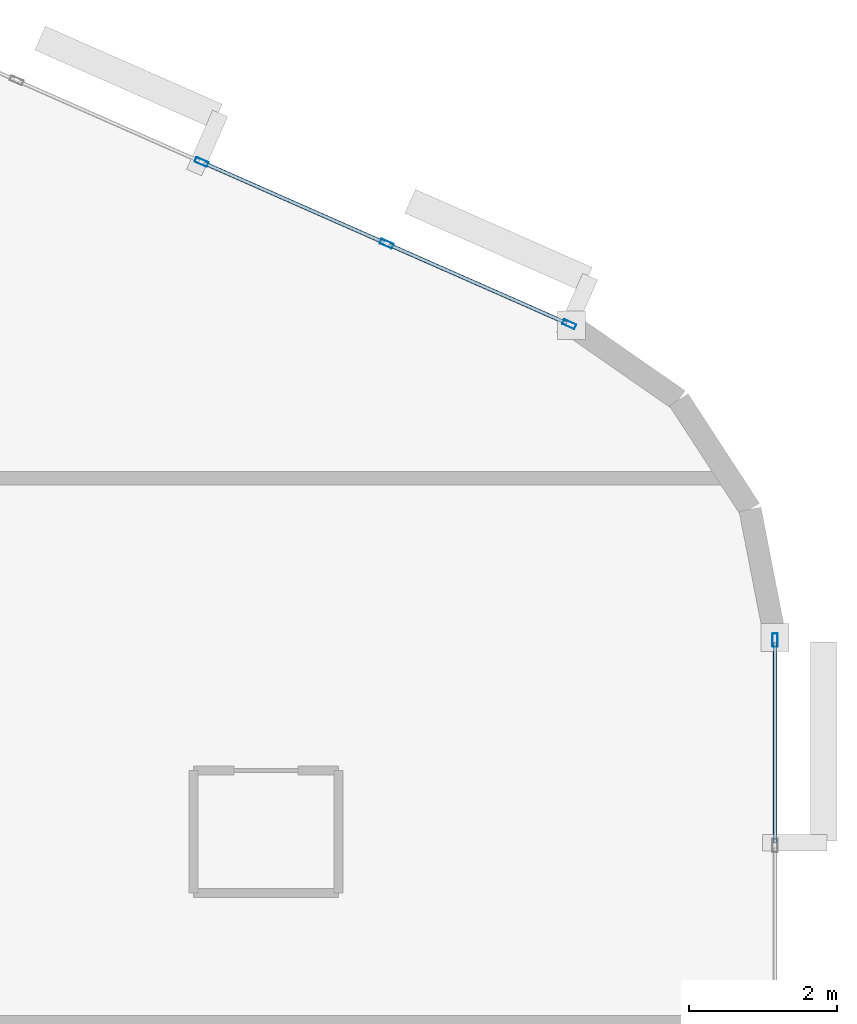
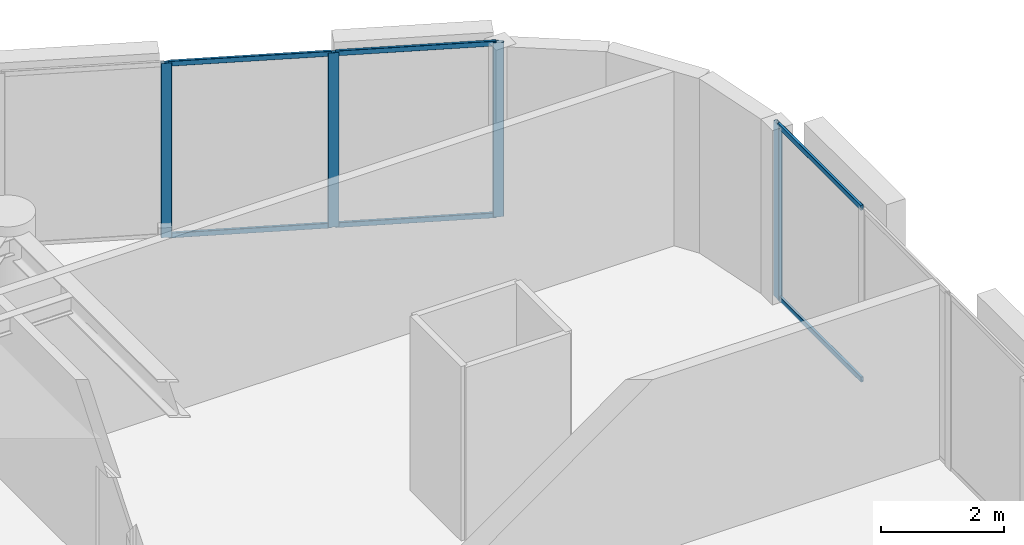
# One storey, part 6 of 12: 10 members, 2 elements without a shape of their own.
"""IFC4 building model written with IfcOpenShell, lengths in metres."""

from ifc_helpers import new_model, si_unit, direction, frame, origin, origin_2d, place, context, subcontext, project, spatial, hollow_rectangle, extrude, material, layer, layer_set, material_profile, profile_set, type_object, element, aggregate, save


model = new_model("IFC4")

# Units and contexts
model_context = context("Model", 3, precision=1e-05, world=origin(), true_north=direction((0.0, 1.0)))
body_context = subcontext(model_context, "Body", "Model", "MODEL_VIEW")
ifc_project = project(units=[si_unit("LENGTHUNIT", "METRE"), si_unit("AREAUNIT", "SQUARE_METRE"), si_unit("VOLUMEUNIT", "CUBIC_METRE"), si_unit("PLANEANGLEUNIT", "RADIAN"), si_unit("MASSUNIT", "GRAM", prefix="KILO")], contexts=[model_context])

# Site, building, storey
site_placement = place(None, origin())
site = spatial("IfcSite", under=ifc_project, at=site_placement, CompositionType="ELEMENT")
building_placement = place(site_placement, origin())
building = spatial("IfcBuilding", under=site, at=building_placement, Name="An Khanh Terracotta Commons", CompositionType="ELEMENT")
storey_placement = place(building_placement, frame((0.0, 0.0, 258.800048828125)))
storey = spatial("IfcBuildingStorey", under=building, at=storey_placement, Name="L67", CompositionType="ELEMENT", Elevation=258.800048828125)

# Curtain wall, member
ifc_material = material(Name="Anodised Aluminium 6063-T6", Category="aluminium")
ifc_layer = layer(ifc_material, 0.2099609375, Name="Anodised Aluminium 6063-T6")
ifc_layer_set = layer_set([ifc_layer], Name="Anodised Aluminium 6063-T6")
curtain_wall_type = type_object("IfcCurtainWallType", Name="CW-SYS-03", PredefinedType="USERDEFINED", material=ifc_layer_set)
curtain_wall_1_placement = place(storey_placement, origin())
curtain_wall_1 = element("IfcCurtainWall", 1, at=curtain_wall_1_placement, inside=storey, type_object=curtain_wall_type, Name="L67 CW-03 Unitised Curtain Wall CW-L67-12", ObjectType="UNITISED CURTAIN WALL", PredefinedType="USERDEFINED")
ifc_material_profile_1 = material_profile(ifc_material, hollow_rectangle(XDim=0.070068359375, YDim=0.179931640625, WallThickness=0.00390625, InnerFilletRadius=0.00390625, OuterFilletRadius=0.008056640625, at=origin_2d()), Name="RHS180x70x4")
ifc_profile_set_1 = profile_set([ifc_material_profile_1], Name="Anodised Aluminium 6063-T6")
member_type_1 = type_object("IfcMemberType", Name="CWM-RHS180x70x4", PredefinedType="MULLION", material=ifc_profile_set_1)
member_1_placement = place(storey_placement, frame((75.60009765625, 28.1669921875, 0.0), z_axis=(0.0, 0.0, 1.0), x_axis=(-1.0, 0.0, 0.0)))
member_1 = element("IfcMember", 2, at=member_1_placement, type_object=member_type_1, Name="CW-03 mullion 4", PredefinedType="MULLION", context=body_context, shape_type="SweptSolid", body=[
    extrude(hollow_rectangle(XDim=0.070068359375, YDim=0.179931640625, WallThickness=0.00390625, InnerFilletRadius=0.00390625, OuterFilletRadius=0.008056640625, at=origin_2d()), origin(), (0.0, 0.0, 1.0), 3.449951171875),
])

# Curtain wall, members
curtain_wall_2_placement = place(storey_placement, origin())
curtain_wall_2 = element("IfcCurtainWall", 3, at=curtain_wall_2_placement, inside=storey, type_object=curtain_wall_type, Name="L67 CW-03 Unitised Curtain Wall CW-L67-16", ObjectType="UNITISED CURTAIN WALL", PredefinedType="USERDEFINED")
member_2_placement = place(storey_placement, frame((72.824951171875, 32.424072265625, 0.0), z_axis=(0.0, 0.0, 1.0), x_axis=(-0.403676354285, -0.914901853201, 0.0)))
member_2 = element("IfcMember", 4, at=member_2_placement, type_object=member_type_1, Name="CW-03 mullion 1", PredefinedType="MULLION", context=body_context, shape_type="SweptSolid", body=[
    extrude(hollow_rectangle(XDim=0.070068359375, YDim=0.179931640625, WallThickness=0.00390625, InnerFilletRadius=0.00390625, OuterFilletRadius=0.008056640625, at=origin_2d()), origin(), (0.0, 0.0, 1.0), 3.449951171875),
])
member_3_placement = place(storey_placement, frame((70.364501953125, 33.509765625, 0.0), z_axis=(0.0, 0.0, 1.0), x_axis=(-0.403676354285, -0.914901853201, 0.0)))
member_3 = element("IfcMember", 5, at=member_3_placement, type_object=member_type_1, Name="CW-03 mullion 2", PredefinedType="MULLION", context=body_context, shape_type="SweptSolid", body=[
    extrude(hollow_rectangle(XDim=0.070068359375, YDim=0.179931640625, WallThickness=0.00390625, InnerFilletRadius=0.00390625, OuterFilletRadius=0.008056640625, at=origin_2d()), origin(), (0.0, 0.0, 1.0), 3.449951171875),
])
member_4_placement = place(storey_placement, frame((67.8720703125, 34.609619140625, 0.0), z_axis=(0.0, 0.0, 1.0), x_axis=(-0.403676354285, -0.914901853201, 0.0)))
member_4 = element("IfcMember", 6, at=member_4_placement, type_object=member_type_1, Name="CW-03 mullion 3", PredefinedType="MULLION", context=body_context, shape_type="SweptSolid", body=[
    extrude(hollow_rectangle(XDim=0.070068359375, YDim=0.179931640625, WallThickness=0.00390625, InnerFilletRadius=0.00390625, OuterFilletRadius=0.008056640625, at=origin_2d()), origin(), (0.0, 0.0, 1.0), 3.449951171875),
])

# Member
ifc_material_profile_2 = material_profile(ifc_material, hollow_rectangle(XDim=0.050048828125, YDim=0.10009765625, WallThickness=0.003173828125, InnerFilletRadius=0.003173828125, OuterFilletRadius=0.00634765625, at=origin_2d()), Name="RHS100x50x3.2")
ifc_profile_set_2 = profile_set([ifc_material_profile_2], Name="Anodised Aluminium 6063-T6")
member_type_2 = type_object("IfcMemberType", Name="CWT-RHS100x50x3.2", PredefinedType="USERDEFINED", material=ifc_profile_set_2)
member_5_placement = place(storey_placement, frame((75.60009765625, 25.435546875, 0.02490234375), z_axis=(0.0, 1.0, 0.0), x_axis=(-1.0, 0.0, 0.0)))
member_5 = element("IfcMember", 7, at=member_5_placement, type_object=member_type_2, Name="CW-03 transom 3.1", ObjectType="TRANSOM", PredefinedType="USERDEFINED", context=body_context, shape_type="SweptSolid", body=[
    extrude(hollow_rectangle(XDim=0.050048828125, YDim=0.10009765625, WallThickness=0.003173828125, InnerFilletRadius=0.003173828125, OuterFilletRadius=0.00634765625, at=origin_2d()), origin(), (0.0, 0.0, 1.0), 2.696533203125),
])

member_6_placement = place(storey_placement, frame((75.60009765625, 25.435546875, 3.425048828125), z_axis=(0.0, 1.0, 0.0), x_axis=(-1.0, 0.0, 0.0)))
member_6 = element("IfcMember", 8, at=member_6_placement, type_object=member_type_2, Name="CW-03 transom 3.2", ObjectType="TRANSOM", PredefinedType="USERDEFINED", context=body_context, shape_type="SweptSolid", body=[
    extrude(hollow_rectangle(XDim=0.050048828125, YDim=0.10009765625, WallThickness=0.003173828125, InnerFilletRadius=0.003173828125, OuterFilletRadius=0.00634765625, at=origin_2d()), origin(), (0.0, 0.0, 1.0), 2.696533203125),
])

aggregate(curtain_wall_1, [member_1, member_5, member_6])

member_7_placement = place(storey_placement, frame((72.79296875, 32.438232421875, 0.02490234375), z_axis=(-0.914903627858, 0.403672332137, 0.0), x_axis=(-0.403672332137, -0.914903627858, 0.0)))
member_7 = element("IfcMember", 9, at=member_7_placement, type_object=member_type_2, Name="CW-03 transom 1.1", ObjectType="TRANSOM", PredefinedType="USERDEFINED", context=body_context, shape_type="SweptSolid", body=[
    extrude(hollow_rectangle(XDim=0.050048828125, YDim=0.10009765625, WallThickness=0.003173828125, InnerFilletRadius=0.003173828125, OuterFilletRadius=0.00634765625, at=origin_2d()), origin(), (0.0, 0.0, 1.0), 2.619384765625),
])

member_8_placement = place(storey_placement, frame((72.79296875, 32.438232421875, 3.425048828125), z_axis=(-0.914903627858, 0.403672332137, 0.0), x_axis=(-0.403672332137, -0.914903627858, 0.0)))
member_8 = element("IfcMember", 10, at=member_8_placement, type_object=member_type_2, Name="CW-03 transom 1.2", ObjectType="TRANSOM", PredefinedType="USERDEFINED", context=body_context, shape_type="SweptSolid", body=[
    extrude(hollow_rectangle(XDim=0.050048828125, YDim=0.10009765625, WallThickness=0.003173828125, InnerFilletRadius=0.003173828125, OuterFilletRadius=0.00634765625, at=origin_2d()), origin(), (0.0, 0.0, 1.0), 2.619384765625),
])

member_9_placement = place(storey_placement, frame((70.33251953125, 33.52392578125, 0.02490234375), z_axis=(-0.914896820753, 0.403687759755, 0.0), x_axis=(-0.403687759755, -0.914896820753, 0.0)))
member_9 = element("IfcMember", 11, at=member_9_placement, type_object=member_type_2, Name="CW-03 transom 2.1", ObjectType="TRANSOM", PredefinedType="USERDEFINED", context=body_context, shape_type="SweptSolid", body=[
    extrude(hollow_rectangle(XDim=0.050048828125, YDim=0.10009765625, WallThickness=0.003173828125, InnerFilletRadius=0.003173828125, OuterFilletRadius=0.00634765625, at=origin_2d()), origin(), (0.0, 0.0, 1.0), 2.654296875),
])

member_10_placement = place(storey_placement, frame((70.33251953125, 33.52392578125, 3.425048828125), z_axis=(-0.914896820753, 0.403687759755, 0.0), x_axis=(-0.403687759755, -0.914896820753, 0.0)))
member_10 = element("IfcMember", 12, at=member_10_placement, type_object=member_type_2, Name="CW-03 transom 2.2", ObjectType="TRANSOM", PredefinedType="USERDEFINED", context=body_context, shape_type="SweptSolid", body=[
    extrude(hollow_rectangle(XDim=0.050048828125, YDim=0.10009765625, WallThickness=0.003173828125, InnerFilletRadius=0.003173828125, OuterFilletRadius=0.00634765625, at=origin_2d()), origin(), (0.0, 0.0, 1.0), 2.654296875),
])

aggregate(curtain_wall_2, [member_2, member_3, member_4, member_7, member_8, member_9, member_10])

save(model, "model.ifc")
